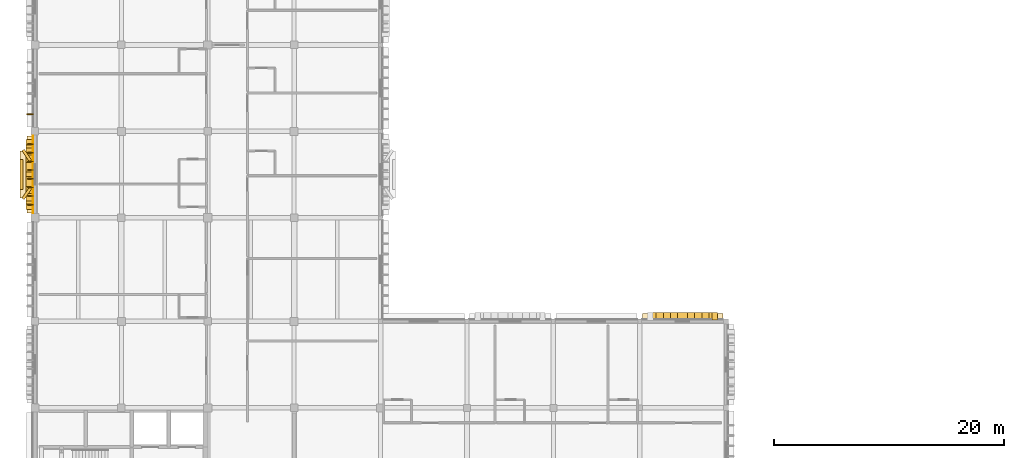
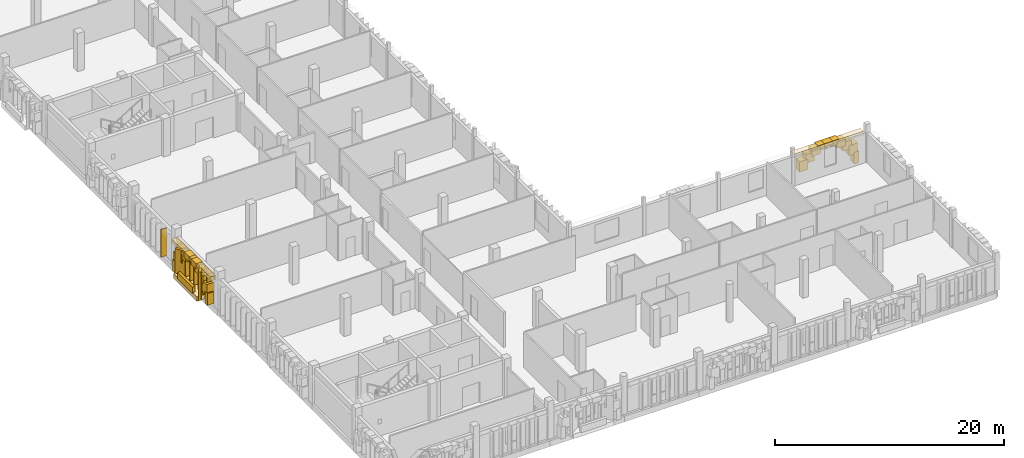
# One storey, part 33 of 48: 29 coverings, 8 shading devices.
"""IFC4 building model written with IfcOpenShell, lengths in metres."""

from ifc_helpers import new_model, si_unit, direction, frame, origin, origin_2d, place, context, subcontext, project, spatial, rectangle, extrude, material, layer, layer_set, type_object, element, save


model = new_model("IFC4")

# Units and contexts
model_context = context("Model", 3, precision=1e-05, world=origin(), true_north=direction((0.0, 1.0)))
body_context = subcontext(model_context, "Body", "Model", "MODEL_VIEW")
ifc_project = project(units=[si_unit("LENGTHUNIT", "METRE"), si_unit("AREAUNIT", "SQUARE_METRE"), si_unit("VOLUMEUNIT", "CUBIC_METRE"), si_unit("PLANEANGLEUNIT", "RADIAN"), si_unit("MASSUNIT", "GRAM", prefix="KILO")], contexts=[model_context])

# Site, building, storey
site_placement = place(None, origin())
site = spatial("IfcSite", under=ifc_project, at=site_placement, CompositionType="ELEMENT")
building_placement = place(site_placement, origin())
building = spatial("IfcBuilding", under=site, at=building_placement, Name="Dalvernix Boulevard General Hospital", CompositionType="ELEMENT")
storey_placement = place(building_placement, frame((0.0, 0.0, 17.85009765625)))
storey = spatial("IfcBuildingStorey", under=building, at=storey_placement, Name="L04", CompositionType="ELEMENT", Elevation=17.85009765625)

# Coverings
ifc_material_1 = material(Name="Pressed Catalan clay brick and dressed limestone parabolic archivolt", Category="masonry")
ifc_layer_1 = layer(ifc_material_1, 0.419921875)
ifc_layer_set_1 = layer_set([ifc_layer_1], Name="Pressed Catalan clay brick and dressed limestone parabolic archivolt (COV-ARC-01)")
covering_type_1 = type_object("IfcCoveringType", Name="COV-ARC-01", PredefinedType="CLADDING", material=ifc_layer_set_1)
for number, where, z_axis, x_axis, name in (
    (1, (-0.4599609375, 32.46240234375, 0.0), (0.0, 0.0, 1.0), (0.0, 1.0, 0.0), "L04 Catalan parabolic arch impost pier W 0-4-L"),
    (2, (-0.4599609375, 38.0625, 0.0), (0.0, 0.0, 1.0), (0.0, 1.0, 0.0), "L04 Catalan parabolic arch impost pier W 0-4-R"),
):
    element("IfcCovering", number, at=place(storey_placement, frame(where, z_axis=z_axis, x_axis=x_axis)), inside=storey, type_object=covering_type_1, Name=name, PredefinedType="CLADDING", context=body_context, shape_type="SweptSolid", body=[
        extrude(rectangle(XDim=0.4599609375, YDim=0.659912109375, at=origin_2d()), origin(), (0.0, 0.0, 1.0), 1.25),
    ])
covering_1_placement = place(storey_placement, frame((-0.4599609375, 32.773681640625, 1.06005859375), z_axis=(0.0, 0.0, 1.0), x_axis=(0.0, 1.0, 0.0)))
element("IfcCovering", 3, at=covering_1_placement, inside=storey, type_object=covering_type_1, Name="L04 Catalan parabolic archivolt voussoir W 0-4-1", PredefinedType="CLADDING", context=body_context, shape_type="SweptSolid", body=[
    extrude(rectangle(XDim=0.8623046875, YDim=0.659912109375, at=origin_2d()), origin(), (0.0, 0.0, 1.0), 1.091064453125),
])
covering_2_placement = place(storey_placement, frame((-0.4599609375, 33.395751953125, 1.77099609375), z_axis=(0.0, 0.0, 1.0), x_axis=(0.0, 1.0, 0.0)))
element("IfcCovering", 4, at=covering_2_placement, inside=storey, type_object=covering_type_1, Name="L04 Catalan parabolic archivolt voussoir W 0-4-2", PredefinedType="CLADDING", context=body_context, shape_type="SweptSolid", body=[
    extrude(rectangle(XDim=0.8623046875, YDim=0.659912109375, at=origin_2d()), origin(), (0.0, 0.0, 1.0), 0.913330078125),
])
covering_3_placement = place(storey_placement, frame((-0.4599609375, 34.01806640625, 2.30419921875), z_axis=(0.0, 0.0, 1.0), x_axis=(0.0, 1.0, 0.0)))
element("IfcCovering", 5, at=covering_3_placement, inside=storey, type_object=covering_type_1, Name="L04 Catalan parabolic archivolt voussoir W 0-4-3", PredefinedType="CLADDING", context=body_context, shape_type="SweptSolid", body=[
    extrude(rectangle(XDim=0.8623046875, YDim=0.659912109375, at=origin_2d()), origin(), (0.0, 0.0, 1.0), 0.735595703125),
])
covering_4_placement = place(storey_placement, frame((-0.4599609375, 34.640380859375, 2.65966796875), z_axis=(0.0, 0.0, 1.0), x_axis=(0.0, 1.0, 0.0)))
element("IfcCovering", 6, at=covering_4_placement, inside=storey, type_object=covering_type_1, Name="L04 Catalan parabolic archivolt voussoir W 0-4-4", PredefinedType="CLADDING", context=body_context, shape_type="SweptSolid", body=[
    extrude(rectangle(XDim=0.8623046875, YDim=0.659912109375, at=origin_2d()), origin(), (0.0, 0.0, 1.0), 0.557861328125),
])
covering_5_placement = place(storey_placement, frame((-0.4599609375, 35.262451171875, 2.837646484375), z_axis=(0.0, 0.0, 1.0), x_axis=(0.0, 1.0, 0.0)))
element("IfcCovering", 7, at=covering_5_placement, inside=storey, type_object=covering_type_1, Name="L04 Catalan parabolic archivolt voussoir W 0-4-5", PredefinedType="CLADDING", context=body_context, shape_type="SweptSolid", body=[
    extrude(rectangle(XDim=0.8623046875, YDim=0.659912109375, at=origin_2d()), origin(), (0.0, 0.0, 1.0), 0.3798828125),
])
covering_6_placement = place(storey_placement, frame((-0.4599609375, 35.884765625, 2.65966796875), z_axis=(0.0, 0.0, 1.0), x_axis=(0.0, 1.0, 0.0)))
element("IfcCovering", 8, at=covering_6_placement, inside=storey, type_object=covering_type_1, Name="L04 Catalan parabolic archivolt voussoir W 0-4-6", PredefinedType="CLADDING", context=body_context, shape_type="SweptSolid", body=[
    extrude(rectangle(XDim=0.8623046875, YDim=0.659912109375, at=origin_2d()), origin(), (0.0, 0.0, 1.0), 0.557861328125),
])
covering_7_placement = place(storey_placement, frame((-0.4599609375, 36.5068359375, 2.30419921875), z_axis=(0.0, 0.0, 1.0), x_axis=(0.0, 1.0, 0.0)))
element("IfcCovering", 9, at=covering_7_placement, inside=storey, type_object=covering_type_1, Name="L04 Catalan parabolic archivolt voussoir W 0-4-7", PredefinedType="CLADDING", context=body_context, shape_type="SweptSolid", body=[
    extrude(rectangle(XDim=0.8623046875, YDim=0.659912109375, at=origin_2d()), origin(), (0.0, 0.0, 1.0), 0.735595703125),
])
covering_8_placement = place(storey_placement, frame((-0.4599609375, 37.129150390625, 1.77099609375), z_axis=(0.0, 0.0, 1.0), x_axis=(0.0, 1.0, 0.0)))
element("IfcCovering", 10, at=covering_8_placement, inside=storey, type_object=covering_type_1, Name="L04 Catalan parabolic archivolt voussoir W 0-4-8", PredefinedType="CLADDING", context=body_context, shape_type="SweptSolid", body=[
    extrude(rectangle(XDim=0.8623046875, YDim=0.659912109375, at=origin_2d()), origin(), (0.0, 0.0, 1.0), 0.913330078125),
])
covering_9_placement = place(storey_placement, frame((-0.4599609375, 37.75146484375, 1.06005859375), z_axis=(0.0, 0.0, 1.0), x_axis=(0.0, 1.0, 0.0)))
element("IfcCovering", 11, at=covering_9_placement, inside=storey, type_object=covering_type_1, Name="L04 Catalan parabolic archivolt voussoir W 0-4-9", PredefinedType="CLADDING", context=body_context, shape_type="SweptSolid", body=[
    extrude(rectangle(XDim=0.8623046875, YDim=0.659912109375, at=origin_2d()), origin(), (0.0, 0.0, 1.0), 1.091064453125),
])
covering_10_placement = place(storey_placement, frame((59.017578125, 22.9599609375, 0.0), z_axis=(0.0, 0.0, 1.0), x_axis=(1.0, 0.0, 0.0)))
element("IfcCovering", 12, at=covering_10_placement, inside=storey, type_object=covering_type_1, Name="L04 Catalan parabolic arch impost pier N 7-3-R", PredefinedType="CLADDING", context=body_context, shape_type="SweptSolid", body=[
    extrude(rectangle(XDim=0.4599609375, YDim=0.659912109375, at=origin_2d()), origin(), (0.0, 0.0, 1.0), 1.25),
])
covering_11_placement = place(storey_placement, frame((53.728515625, 22.9599609375, 1.06005859375), z_axis=(0.0, 0.0, 1.0), x_axis=(1.0, 0.0, 0.0)))
element("IfcCovering", 13, at=covering_11_placement, inside=storey, type_object=covering_type_1, Name="L04 Catalan parabolic archivolt voussoir N 7-3-1", PredefinedType="CLADDING", context=body_context, shape_type="SweptSolid", body=[
    extrude(rectangle(XDim=0.8623046875, YDim=0.659912109375, at=origin_2d()), origin(), (0.0, 0.0, 1.0), 1.091064453125),
])
covering_12_placement = place(storey_placement, frame((54.350830078125, 22.9599609375, 1.77099609375), z_axis=(0.0, 0.0, 1.0), x_axis=(1.0, 0.0, 0.0)))
element("IfcCovering", 14, at=covering_12_placement, inside=storey, type_object=covering_type_1, Name="L04 Catalan parabolic archivolt voussoir N 7-3-2", PredefinedType="CLADDING", context=body_context, shape_type="SweptSolid", body=[
    extrude(rectangle(XDim=0.8623046875, YDim=0.659912109375, at=origin_2d()), origin(), (0.0, 0.0, 1.0), 0.913330078125),
])
covering_13_placement = place(storey_placement, frame((54.97314453125, 22.9599609375, 2.30419921875), z_axis=(0.0, 0.0, 1.0), x_axis=(1.0, 0.0, 0.0)))
element("IfcCovering", 15, at=covering_13_placement, inside=storey, type_object=covering_type_1, Name="L04 Catalan parabolic archivolt voussoir N 7-3-3", PredefinedType="CLADDING", context=body_context, shape_type="SweptSolid", body=[
    extrude(rectangle(XDim=0.8623046875, YDim=0.659912109375, at=origin_2d()), origin(), (0.0, 0.0, 1.0), 0.735595703125),
])
covering_14_placement = place(storey_placement, frame((55.59521484375, 22.9599609375, 2.65966796875), z_axis=(0.0, 0.0, 1.0), x_axis=(1.0, 0.0, 0.0)))
element("IfcCovering", 16, at=covering_14_placement, inside=storey, type_object=covering_type_1, Name="L04 Catalan parabolic archivolt voussoir N 7-3-4", PredefinedType="CLADDING", context=body_context, shape_type="SweptSolid", body=[
    extrude(rectangle(XDim=0.8623046875, YDim=0.659912109375, at=origin_2d()), origin(), (0.0, 0.0, 1.0), 0.557861328125),
])
covering_15_placement = place(storey_placement, frame((56.217529296875, 22.9599609375, 2.837646484375), z_axis=(0.0, 0.0, 1.0), x_axis=(1.0, 0.0, 0.0)))
element("IfcCovering", 17, at=covering_15_placement, inside=storey, type_object=covering_type_1, Name="L04 Catalan parabolic archivolt voussoir N 7-3-5", PredefinedType="CLADDING", context=body_context, shape_type="SweptSolid", body=[
    extrude(rectangle(XDim=0.8623046875, YDim=0.659912109375, at=origin_2d()), origin(), (0.0, 0.0, 1.0), 0.3798828125),
])
covering_16_placement = place(storey_placement, frame((56.839599609375, 22.9599609375, 2.65966796875), z_axis=(0.0, 0.0, 1.0), x_axis=(1.0, 0.0, 0.0)))
element("IfcCovering", 18, at=covering_16_placement, inside=storey, type_object=covering_type_1, Name="L04 Catalan parabolic archivolt voussoir N 7-3-6", PredefinedType="CLADDING", context=body_context, shape_type="SweptSolid", body=[
    extrude(rectangle(XDim=0.8623046875, YDim=0.659912109375, at=origin_2d()), origin(), (0.0, 0.0, 1.0), 0.557861328125),
])
covering_17_placement = place(storey_placement, frame((57.4619140625, 22.9599609375, 2.30419921875), z_axis=(0.0, 0.0, 1.0), x_axis=(1.0, 0.0, 0.0)))
element("IfcCovering", 19, at=covering_17_placement, inside=storey, type_object=covering_type_1, Name="L04 Catalan parabolic archivolt voussoir N 7-3-7", PredefinedType="CLADDING", context=body_context, shape_type="SweptSolid", body=[
    extrude(rectangle(XDim=0.8623046875, YDim=0.659912109375, at=origin_2d()), origin(), (0.0, 0.0, 1.0), 0.735595703125),
])
covering_18_placement = place(storey_placement, frame((58.084228515625, 22.9599609375, 1.77099609375), z_axis=(0.0, 0.0, 1.0), x_axis=(1.0, 0.0, 0.0)))
element("IfcCovering", 20, at=covering_18_placement, inside=storey, type_object=covering_type_1, Name="L04 Catalan parabolic archivolt voussoir N 7-3-8", PredefinedType="CLADDING", context=body_context, shape_type="SweptSolid", body=[
    extrude(rectangle(XDim=0.8623046875, YDim=0.659912109375, at=origin_2d()), origin(), (0.0, 0.0, 1.0), 0.913330078125),
])
covering_19_placement = place(storey_placement, frame((58.706298828125, 22.9599609375, 1.06005859375), z_axis=(0.0, 0.0, 1.0), x_axis=(1.0, 0.0, 0.0)))
element("IfcCovering", 21, at=covering_19_placement, inside=storey, type_object=covering_type_1, Name="L04 Catalan parabolic archivolt voussoir N 7-3-9", PredefinedType="CLADDING", context=body_context, shape_type="SweptSolid", body=[
    extrude(rectangle(XDim=0.8623046875, YDim=0.659912109375, at=origin_2d()), origin(), (0.0, 0.0, 1.0), 1.091064453125),
])
ifc_material_2 = material(Name="Polychrome glazed Catalan trencadis ceramic faceted bay spandrel")
ifc_layer_2 = layer(ifc_material_2, 0.280029296875)
ifc_layer_set_2 = layer_set([ifc_layer_2], Name="Polychrome glazed Catalan trencadis ceramic faceted bay spandrel (COV-BAY-01)")
covering_type_2 = type_object("IfcCoveringType", Name="COV-BAY-01", PredefinedType="CLADDING", material=ifc_layer_set_2)
covering_20_placement = place(storey_placement, frame((-1.159912109375, 35.262451171875, 0.3798828125), z_axis=(0.0, 0.0, 1.0), x_axis=(0.0, 1.0, 0.0)))
element("IfcCovering", 22, at=covering_20_placement, inside=storey, type_object=covering_type_2, Name="L04 projecting faceted trencadis bay spandrel W 0-4", PredefinedType="CLADDING", context=body_context, shape_type="SweptSolid", body=[
    extrude(rectangle(XDim=2.60009765625, YDim=0.280029296875, at=origin_2d()), origin(), (0.0, 0.0, 1.0), 0.679931640625),
])
for number, where, z_axis, x_axis, name in (
    (23, (-0.7099609375, 33.612548828125, 0.080078125), (0.0, 0.0, 1.0), (0.559192903471, 0.829037572555, 0.0), "L04 projecting faceted Catalan bay cheek W 0-4-L"),
    (24, (-0.7099609375, 36.91259765625, 0.080078125), (0.0, 0.0, 1.0), (-0.559192903471, 0.829037572555, 0.0), "L04 projecting faceted Catalan bay cheek W 0-4-R"),
):
    element("IfcCovering", number, at=place(storey_placement, frame(where, z_axis=z_axis, x_axis=x_axis)), inside=storey, type_object=covering_type_2, Name=name, PredefinedType="CLADDING", context=body_context, shape_type="SweptSolid", body=[
        extrude(rectangle(XDim=1.14990234375, YDim=0.239990234375, at=origin_2d()), origin(), (0.0, 0.0, 1.0), 3.010009765625),
    ])
ifc_material_3 = material(Name="Polychrome Catalan glazed ceramic spandrel tile panel")
ifc_layer_3 = layer(ifc_material_3, 0.044921875)
ifc_layer_set_3 = layer_set([ifc_layer_3], Name="Polychrome Catalan glazed ceramic spandrel tile panel (COV-CLD-01)")
covering_type_3 = type_object("IfcCoveringType", Name="COV-CLD-01", PredefinedType="CLADDING", material=ifc_layer_set_3)
covering_21_placement = place(storey_placement, frame((-0.169921875, 35.262451171875, 2.69482421875), z_axis=(0.0, 0.0, 1.0), x_axis=(0.0, 1.0, 0.0)))
element("IfcCovering", 25, at=covering_21_placement, inside=storey, type_object=covering_type_3, Name="L04 polychrome ceramic spandrel W 0-4", PredefinedType="CLADDING", context=body_context, shape_type="SweptSolid", body=[
    extrude(rectangle(XDim=6.705078125, YDim=0.044921875, at=origin_2d()), origin(), (0.0, 0.0, 1.0), 0.449951171875),
])
ifc_material_4 = material(Name="Dressed ochre limestone classical plinth, stringcourse and corbelled cornice", Category="masonry")
ifc_layer_4 = layer(ifc_material_4, 0.449951171875)
ifc_layer_set_4 = layer_set([ifc_layer_4], Name="Dressed ochre limestone classical plinth, stringcourse and corbelled cornice (COV-CRN-01)")
covering_type_4 = type_object("IfcCoveringType", Name="COV-CRN-01", PredefinedType="CLADDING", material=ifc_layer_set_4)
covering_22_placement = place(storey_placement, frame((-0.409912109375, 35.262451171875, 2.77001953125), z_axis=(0.0, 0.0, 1.0), x_axis=(0.0, 1.0, 0.0)))
element("IfcCovering", 26, at=covering_22_placement, inside=storey, type_object=covering_type_4, Name="L04 classical corbelled cornice frieze W 0-4", PredefinedType="CLADDING", context=body_context, shape_type="SweptSolid", body=[
    extrude(rectangle(XDim=6.705078125, YDim=0.56005859375, at=origin_2d()), origin(), (0.0, 0.0, 1.0), 0.39990234375),
])
covering_23_placement = place(storey_placement, frame((-0.705078125, 35.262451171875, 0.0), z_axis=(0.0, 0.0, 1.0), x_axis=(0.0, 1.0, 0.0)))
element("IfcCovering", 27, at=covering_23_placement, inside=storey, type_object=covering_type_4, Name="L04 projecting Catalan bay corbel base W 0-4", PredefinedType="CLADDING", context=body_context, shape_type="SweptSolid", body=[
    extrude(rectangle(XDim=4.10009765625, YDim=1.14990234375, at=origin_2d()), origin(), (0.0, 0.0, 1.0), 0.47998046875),
])
covering_24_placement = place(storey_placement, frame((56.217529296875, 22.909912109375, 2.77001953125), z_axis=(0.0, 0.0, 1.0), x_axis=(1.0, 0.0, 0.0)))
element("IfcCovering", 28, at=covering_24_placement, inside=storey, type_object=covering_type_4, Name="L04 classical corbelled cornice frieze N 7-3", PredefinedType="CLADDING", context=body_context, shape_type="SweptSolid", body=[
    extrude(rectangle(XDim=6.9951171875, YDim=0.56005859375, at=origin_2d()), origin(), (0.0, 0.0, 1.0), 0.39990234375),
])
ifc_material_5 = material(Name="Terracotta-clad iroko timber brise-soleil sun-breaker fin", Category="masonry")
ifc_layer_5 = layer(ifc_material_5, 0.10009765625)
ifc_layer_set_5 = layer_set([ifc_layer_5], Name="Terracotta-clad iroko timber brise-soleil sun-breaker fin (COV-FIN-02)")
covering_type_5 = type_object("IfcCoveringType", Name="COV-FIN-02", PredefinedType="CLADDING", material=ifc_layer_set_5)
covering_25_placement = place(storey_placement, frame((-0.419921875, 40.487548828125, 0.1201171875), z_axis=(0.0, 0.0, 1.0), x_axis=(0.0, 1.0, 0.0)))
element("IfcCovering", 29, at=covering_25_placement, inside=storey, type_object=covering_type_5, Name="L04 terracotta brise-soleil fin W 0-5-1", PredefinedType="CLADDING", context=body_context, shape_type="SweptSolid", body=[
    extrude(rectangle(XDim=0.10009765625, YDim=0.580078125, at=origin_2d()), origin(), (0.0, 0.0, 1.0), 2.929931640625),
])

# Shading devices
ifc_material_6 = material(Name="Preservative-treated West African iroko timber", Category="wood")
shading_device_type = type_object("IfcShadingDeviceType", Name="SHD-FIN-01", PredefinedType="USERDEFINED", material=ifc_material_6)
for number, where, z_axis, x_axis, name in (
    (30, (-0.3798828125, 32.637451171875, 0.1748046875), (0.0, 0.0, 1.0), (0.0, 1.0, 0.0), "L04 iroko brise-soleil fin 1"),
    (31, (-0.3798828125, 33.387451171875, 0.1748046875), (0.0, 0.0, 1.0), (0.0, 1.0, 0.0), "L04 iroko brise-soleil fin 2"),
    (32, (-0.3798828125, 34.137451171875, 0.1748046875), (0.0, 0.0, 1.0), (0.0, 1.0, 0.0), "L04 iroko brise-soleil fin 3"),
    (33, (-0.3798828125, 34.887451171875, 0.1748046875), (0.0, 0.0, 1.0), (0.0, 1.0, 0.0), "L04 iroko brise-soleil fin 4"),
    (34, (-0.3798828125, 35.637451171875, 0.1748046875), (0.0, 0.0, 1.0), (0.0, 1.0, 0.0), "L04 iroko brise-soleil fin 5"),
    (35, (-0.3798828125, 36.387451171875, 0.1748046875), (0.0, 0.0, 1.0), (0.0, 1.0, 0.0), "L04 iroko brise-soleil fin 6"),
    (36, (-0.3798828125, 37.137451171875, 0.1748046875), (0.0, 0.0, 1.0), (0.0, 1.0, 0.0), "L04 iroko brise-soleil fin 7"),
    (37, (-0.3798828125, 37.887451171875, 0.1748046875), (0.0, 0.0, 1.0), (0.0, 1.0, 0.0), "L04 iroko brise-soleil fin 8"),
):
    element("IfcShadingDevice", number, at=place(storey_placement, frame(where, z_axis=z_axis, x_axis=x_axis)), inside=storey, type_object=shading_device_type, Name=name, ObjectType="FIN", PredefinedType="USERDEFINED", context=body_context, shape_type="SweptSolid", body=[
        extrude(rectangle(XDim=0.06494140625, YDim=0.47998046875, at=origin_2d()), origin(), (0.0, 0.0, 1.0), 2.820068359375),
    ])

save(model, "model.ifc")
